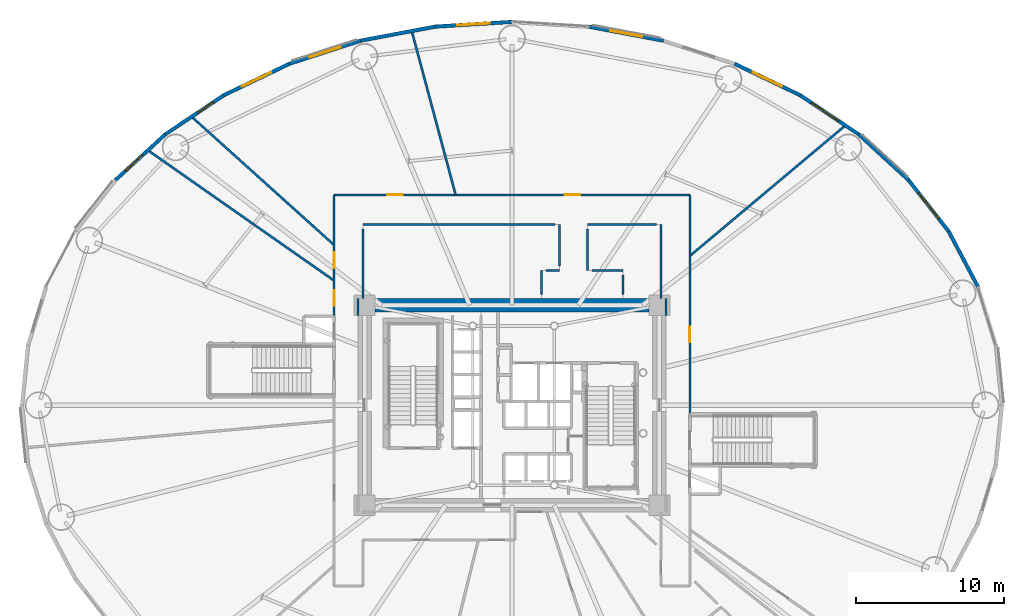
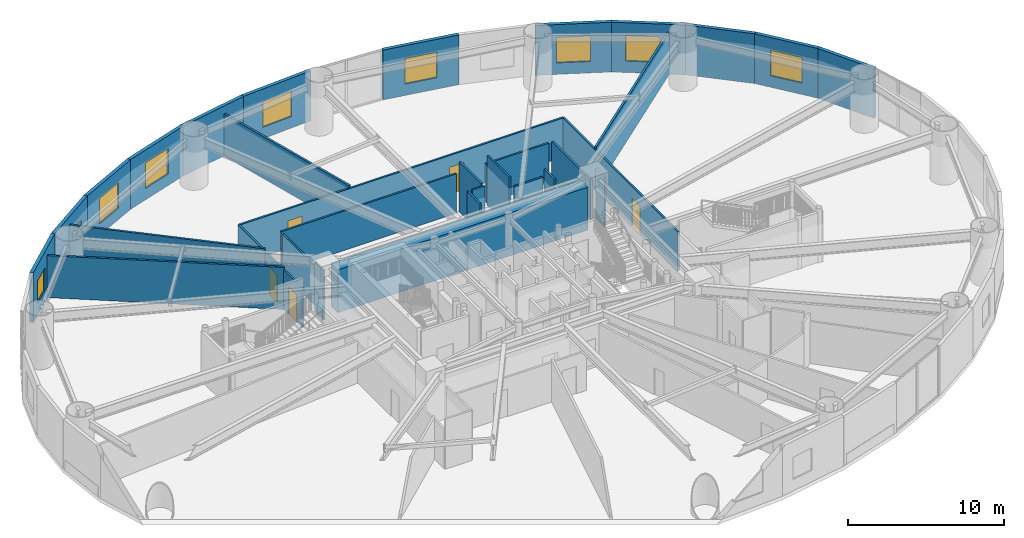
# One storey, part 18 of 30: 32 walls, 9 windows, 5 doors, 14 openings.
"""IFC4 building model written with IfcOpenShell, lengths in metres."""

from ifc_helpers import new_model, si_unit, direction, frame, frame_2d, origin, origin_2d, place, context, subcontext, project, spatial, rectangle, extrude, source, transform, mapped, material, layer, layer_set, type_object, element, fill, save


model = new_model("IFC4")

# Units and contexts
model_context = context("Model", 3, precision=1e-05, world=origin(), true_north=direction((0.0, 1.0)))
body_context = subcontext(model_context, "Body", "Model", "MODEL_VIEW")
ifc_project = project(units=[si_unit("LENGTHUNIT", "METRE"), si_unit("AREAUNIT", "SQUARE_METRE"), si_unit("VOLUMEUNIT", "CUBIC_METRE"), si_unit("PLANEANGLEUNIT", "RADIAN"), si_unit("MASSUNIT", "GRAM", prefix="KILO")], contexts=[model_context])

# Site, building, storey
site_placement = place(None, origin())
site = spatial("IfcSite", under=ifc_project, at=site_placement, CompositionType="ELEMENT")
building_placement = place(site_placement, origin())
building = spatial("IfcBuilding", under=site, at=building_placement, Name="Linh Dai School and Residence Tower", CompositionType="ELEMENT")
storey_placement = place(building_placement, frame((0.0, 0.0, 10.199951171875)))
storey = spatial("IfcBuildingStorey", under=building, at=storey_placement, Name="L02", CompositionType="ELEMENT", Elevation=10.199951171875)

# Wall
ifc_material_1 = material(Name="Precast Concrete B45 (C35/45)", Category="concrete")
ifc_layer_1 = layer(ifc_material_1, 0.25)
ifc_layer_set_1 = layer_set([ifc_layer_1], Name="Precast Concrete B45 (C35/45)")
wall_type_1 = type_object("IfcWallType", Name="EW-TC-250", PredefinedType="SOLIDWALL", material=ifc_layer_set_1)
wall_1_placement = place(storey_placement, frame((65.4765625, 38.735595703125, 0.0), z_axis=(0.0, 0.0, 1.0), x_axis=(0.467588829866, -0.883946087827, 0.0)))
element("IfcWall", 1, at=wall_1_placement, inside=storey, type_object=wall_type_1, Name="L02 Terracotta Exterior Wall 03", PredefinedType="SOLIDWALL", context=body_context, shape_type="SweptSolid", body=[
    extrude(rectangle(XDim=4.2412109375, YDim=0.25, at=frame_2d((2.12060546875, 0.0))), origin(), (0.0, 0.0, 1.0), 3.900146484375),
])

# Wall, opening, window
wall_2_placement = place(storey_placement, frame((62.767822265625, 42.197509765625, 0.0), z_axis=(0.0, 0.0, 1.0), x_axis=(0.61622589112, -0.787569457961, 0.0)))
wall_2 = element("IfcWall", 2, at=wall_2_placement, inside=storey, type_object=wall_type_1, Name="L02 Terracotta Exterior Wall 04", PredefinedType="SOLIDWALL", context=body_context, shape_type="SweptSolid", body=[
    extrude(rectangle(XDim=4.395751953125, YDim=0.25, at=frame_2d((2.19775390625, 0.0))), origin(), (0.0, 0.0, 1.0), 3.900146484375),
])
opening_1_placement = place(wall_2_placement, frame((1.09765625, 0.0, 0.89990234375)))
opening_1 = element("IfcOpeningElement", 3, at=opening_1_placement, cuts=wall_2, Name="Opening W4", PredefinedType="OPENING", context=body_context, shape_type="SweptSolid", body=[
    extrude(rectangle(XDim=2.199951171875, YDim=2.0, at=origin_2d()), frame((1.10009765625, 0.135009765625, 1.0), z_axis=(0.0, -1.0, 0.0), x_axis=(1.0, 0.0, 0.0)), (0.0, 0.0, 1.0), 0.27001953125),
])
ifc_material_2 = material(Name="Acoustic Laminated Low-E Glazing", Category="glass")
window_type_1 = type_object("IfcWindowType", Name="WN-SCH-2200x2000", PartitioningType="TRIPLE_PANEL_VERTICAL", PredefinedType="WINDOW", material=ifc_material_2)
shared_shape_1 = source(origin(), body_context, "Body", "SweptSolid", [
    extrude(rectangle(XDim=2.199951171875, YDim=2.0, at=origin_2d()), frame((1.10009765625, 0.030029296875, 1.0), z_axis=(0.0, -1.0, 0.0), x_axis=(1.0, 0.0, 0.0)), (0.0, 0.0, 1.0), 0.06005859375),
])
window_1_placement = place(opening_1_placement, origin())
window_1 = element("IfcWindow", 4, at=window_1_placement, inside=storey, type_object=window_type_1, Name="L02 Exterior Window 04.1", OverallHeight=2.0, OverallWidth=2.199951171875, PartitioningType="TRIPLE_PANEL_VERTICAL", PredefinedType="WINDOW", context=body_context, shape_type="MappedRepresentation", body=[
    mapped(shared_shape_1, transform((0.0, 0.0, 0.0), x_axis=(1.0, 0.0, 0.0), y_axis=(0.0, 1.0, 0.0), z_axis=(0.0, 0.0, 1.0), scale=1.0)),
])
fill(opening_1, window_1)

# Wall
wall_3_placement = place(storey_placement, frame((59.39892578125, 45.286376953125, 0.0), z_axis=(0.0, 0.0, 1.0), x_axis=(0.737076532105, -0.675809282136, 0.0)))
element("IfcWall", 5, at=wall_3_placement, inside=storey, type_object=wall_type_1, Name="L02 Terracotta Exterior Wall 05", PredefinedType="SOLIDWALL", context=body_context, shape_type="SweptSolid", body=[
    extrude(rectangle(XDim=4.570556640625, YDim=0.25, at=frame_2d((2.28515625, 0.0))), origin(), (0.0, 0.0, 1.0), 3.900146484375),
])

# Wall, opening, window
wall_4_placement = place(storey_placement, frame((55.45263671875, 47.92578125, 0.0), z_axis=(0.0, 0.0, 1.0), x_axis=(0.831218664812, -0.555945618985, 0.0)))
wall_4 = element("IfcWall", 6, at=wall_4_placement, inside=storey, type_object=wall_type_1, Name="L02 Terracotta Exterior Wall 06", PredefinedType="SOLIDWALL", context=body_context, shape_type="SweptSolid", body=[
    extrude(rectangle(XDim=4.74755859375, YDim=0.25, at=frame_2d((2.373779296875, 0.0))), origin(), (0.0, 0.0, 1.0), 3.900146484375),
])
opening_2_placement = place(wall_4_placement, frame((0.91259765625, 0.0, 0.89990234375)))
opening_2 = element("IfcOpeningElement", 7, at=opening_2_placement, cuts=wall_4, Name="Opening W4", PredefinedType="OPENING", context=body_context, shape_type="SweptSolid", body=[
    extrude(rectangle(XDim=2.199951171875, YDim=2.0, at=origin_2d()), frame((1.10009765625, 0.135009765625, 1.0), z_axis=(0.0, -1.0, 0.0), x_axis=(1.0, 0.0, 0.0)), (0.0, 0.0, 1.0), 0.27001953125),
])
window_2_placement = place(opening_2_placement, origin())
window_2 = element("IfcWindow", 8, at=window_2_placement, inside=storey, type_object=window_type_1, Name="L02 Exterior Window 06.1", OverallHeight=2.0, OverallWidth=2.199951171875, PartitioningType="TRIPLE_PANEL_VERTICAL", PredefinedType="WINDOW", context=body_context, shape_type="MappedRepresentation", body=[
    mapped(shared_shape_1, transform((0.0, 0.0, 0.0), x_axis=(1.0, 0.0, 0.0), y_axis=(0.0, 1.0, 0.0), z_axis=(0.0, 0.0, 1.0), scale=1.0)),
])
fill(opening_2, window_2)

wall_5_placement = place(storey_placement, frame((51.026123046875, 50.050048828125, 0.0), z_axis=(0.0, 0.0, 1.0), x_axis=(0.901559523397, -0.432655088692, 0.0)))
wall_5 = element("IfcWall", 9, at=wall_5_placement, inside=storey, type_object=wall_type_1, Name="L02 Terracotta Exterior Wall 07", PredefinedType="SOLIDWALL", context=body_context, shape_type="SweptSolid", body=[
    extrude(rectangle(XDim=4.909912109375, YDim=0.25, at=frame_2d((2.455078125, 0.0))), origin(), (0.0, 0.0, 1.0), 3.900146484375),
])
opening_3_placement = place(wall_5_placement, frame((1.354736328125, 0.0, 0.89990234375)))
opening_3 = element("IfcOpeningElement", 10, at=opening_3_placement, cuts=wall_5, Name="Opening W4", PredefinedType="OPENING", context=body_context, shape_type="SweptSolid", body=[
    extrude(rectangle(XDim=2.199951171875, YDim=2.0, at=origin_2d()), frame((1.10009765625, 0.135009765625, 1.0), z_axis=(0.0, -1.0, 0.0), x_axis=(1.0, 0.0, 0.0)), (0.0, 0.0, 1.0), 0.27001953125),
])
window_3_placement = place(opening_3_placement, origin())
window_3 = element("IfcWindow", 11, at=window_3_placement, inside=storey, type_object=window_type_1, Name="L02 Exterior Window 07.1", OverallHeight=2.0, OverallWidth=2.199951171875, PartitioningType="TRIPLE_PANEL_VERTICAL", PredefinedType="WINDOW", context=body_context, shape_type="MappedRepresentation", body=[
    mapped(shared_shape_1, transform((0.0, 0.0, 0.0), x_axis=(1.0, 0.0, 0.0), y_axis=(0.0, 1.0, 0.0), z_axis=(0.0, 0.0, 1.0), scale=1.0)),
])
fill(opening_3, window_3)

wall_6_placement = place(storey_placement, frame((41.17822265625, 52.555908203125, 0.0), z_axis=(0.0, 0.0, 1.0), x_axis=(0.98278278947, -0.184764684726, 0.0)))
wall_6 = element("IfcWall", 12, at=wall_6_placement, inside=storey, type_object=wall_type_1, Name="L02 Terracotta Exterior Wall 09", PredefinedType="SOLIDWALL", context=body_context, shape_type="SweptSolid", body=[
    extrude(rectangle(XDim=5.138671875, YDim=0.25, at=frame_2d((2.5693359375, 0.0))), origin(), (0.0, 0.0, 1.0), 3.900146484375),
])
opening_4_placement = place(wall_6_placement, frame((1.469482421875, 0.0, 0.89990234375)))
opening_4 = element("IfcOpeningElement", 13, at=opening_4_placement, cuts=wall_6, Name="Opening W4", PredefinedType="OPENING", context=body_context, shape_type="SweptSolid", body=[
    extrude(rectangle(XDim=2.199951171875, YDim=2.0, at=origin_2d()), frame((1.10009765625, 0.135009765625, 1.0), z_axis=(0.0, -1.0, 0.0), x_axis=(1.0, 0.0, 0.0)), (0.0, 0.0, 1.0), 0.27001953125),
])
window_4_placement = place(opening_4_placement, origin())
window_4 = element("IfcWindow", 14, at=window_4_placement, inside=storey, type_object=window_type_1, Name="L02 Exterior Window 09.1", OverallHeight=2.0, OverallWidth=2.199951171875, PartitioningType="TRIPLE_PANEL_VERTICAL", PredefinedType="WINDOW", context=body_context, shape_type="MappedRepresentation", body=[
    mapped(shared_shape_1, transform((0.0, 0.0, 0.0), x_axis=(1.0, 0.0, 0.0), y_axis=(0.0, 1.0, 0.0), z_axis=(0.0, 0.0, 1.0), scale=1.0)),
])
fill(opening_4, window_4)

wall_7_placement = place(storey_placement, frame((30.82177734375, 52.555908203125, 0.0), z_axis=(0.0, 0.0, 1.0), x_axis=(0.998106762298, 0.061505211614, 0.0)))
wall_7 = element("IfcWall", 15, at=wall_7_placement, inside=storey, type_object=wall_type_1, Name="L02 Terracotta Exterior Wall 11", PredefinedType="SOLIDWALL", context=body_context, shape_type="SweptSolid", body=[
    extrude(rectangle(XDim=5.18798828125, YDim=0.25, at=frame_2d((2.593994140625, 0.0))), origin(), (0.0, 0.0, 1.0), 3.900146484375),
])
opening_5_placement = place(wall_7_placement, frame((1.493896484375, 0.0, 0.89990234375)))
opening_5 = element("IfcOpeningElement", 16, at=opening_5_placement, cuts=wall_7, Name="Opening W4", PredefinedType="OPENING", context=body_context, shape_type="SweptSolid", body=[
    extrude(rectangle(XDim=2.199951171875, YDim=2.0, at=origin_2d()), frame((1.10009765625, 0.135009765625, 1.0), z_axis=(0.0, -1.0, 0.0), x_axis=(1.0, 0.0, 0.0)), (0.0, 0.0, 1.0), 0.27001953125),
])
window_5_placement = place(opening_5_placement, origin())
window_5 = element("IfcWindow", 17, at=window_5_placement, inside=storey, type_object=window_type_1, Name="L02 Exterior Window 11.1", OverallHeight=2.0, OverallWidth=2.199951171875, PartitioningType="TRIPLE_PANEL_VERTICAL", PredefinedType="WINDOW", context=body_context, shape_type="MappedRepresentation", body=[
    mapped(shared_shape_1, transform((0.0, 0.0, 0.0), x_axis=(1.0, 0.0, 0.0), y_axis=(0.0, 1.0, 0.0), z_axis=(0.0, 0.0, 1.0), scale=1.0)),
])
fill(opening_5, window_5)

# Wall
wall_8_placement = place(storey_placement, frame((25.771484375, 51.6064453125, 0.0), z_axis=(0.0, 0.0, 1.0), x_axis=(0.98278278947, 0.184764684726, 0.0)))
element("IfcWall", 18, at=wall_8_placement, inside=storey, type_object=wall_type_1, Name="L02 Terracotta Exterior Wall 12", PredefinedType="SOLIDWALL", context=body_context, shape_type="SweptSolid", body=[
    extrude(rectangle(XDim=5.138671875, YDim=0.25, at=frame_2d((2.5693359375, 0.0))), origin(), (0.0, 0.0, 1.0), 3.900146484375),
])

# Wall, opening, window
wall_9_placement = place(storey_placement, frame((20.973876953125, 50.050048828125, 0.0), z_axis=(0.0, 0.0, 1.0), x_axis=(0.951198629726, 0.308579271513, 0.0)))
wall_9 = element("IfcWall", 19, at=wall_9_placement, inside=storey, type_object=wall_type_1, Name="L02 Terracotta Exterior Wall 13", PredefinedType="SOLIDWALL", context=body_context, shape_type="SweptSolid", body=[
    extrude(rectangle(XDim=5.043701171875, YDim=0.25, at=frame_2d((2.52197265625, 0.0))), origin(), (0.0, 0.0, 1.0), 3.900146484375),
])
opening_6_placement = place(wall_9_placement, frame((1.422119140625, 0.0, 0.89990234375)))
opening_6 = element("IfcOpeningElement", 20, at=opening_6_placement, cuts=wall_9, Name="Opening W4", PredefinedType="OPENING", context=body_context, shape_type="SweptSolid", body=[
    extrude(rectangle(XDim=2.199951171875, YDim=2.0, at=origin_2d()), frame((1.10009765625, 0.135009765625, 1.0), z_axis=(0.0, -1.0, 0.0), x_axis=(1.0, 0.0, 0.0)), (0.0, 0.0, 1.0), 0.27001953125),
])
window_6_placement = place(opening_6_placement, origin())
window_6 = element("IfcWindow", 21, at=window_6_placement, inside=storey, type_object=window_type_1, Name="L02 Exterior Window 13.1", OverallHeight=2.0, OverallWidth=2.199951171875, PartitioningType="TRIPLE_PANEL_VERTICAL", PredefinedType="WINDOW", context=body_context, shape_type="MappedRepresentation", body=[
    mapped(shared_shape_1, transform((0.0, 0.0, 0.0), x_axis=(1.0, 0.0, 0.0), y_axis=(0.0, 1.0, 0.0), z_axis=(0.0, 0.0, 1.0), scale=1.0)),
])
fill(opening_6, window_6)

wall_10_placement = place(storey_placement, frame((16.54736328125, 47.92578125, 0.0), z_axis=(0.0, 0.0, 1.0), x_axis=(0.901559523397, 0.432655088692, 0.0)))
wall_10 = element("IfcWall", 22, at=wall_10_placement, inside=storey, type_object=wall_type_1, Name="L02 Terracotta Exterior Wall 14", PredefinedType="SOLIDWALL", context=body_context, shape_type="SweptSolid", body=[
    extrude(rectangle(XDim=4.909912109375, YDim=0.25, at=frame_2d((2.455078125, 0.0))), origin(), (0.0, 0.0, 1.0), 3.900146484375),
])
opening_7_placement = place(wall_10_placement, frame((1.35498046875, 0.0, 0.89990234375)))
opening_7 = element("IfcOpeningElement", 23, at=opening_7_placement, cuts=wall_10, Name="Opening W4", PredefinedType="OPENING", context=body_context, shape_type="SweptSolid", body=[
    extrude(rectangle(XDim=2.199951171875, YDim=2.0, at=origin_2d()), frame((1.10009765625, 0.135009765625, 1.0), z_axis=(0.0, -1.0, 0.0), x_axis=(1.0, 0.0, 0.0)), (0.0, 0.0, 1.0), 0.27001953125),
])
window_7_placement = place(opening_7_placement, origin())
window_7 = element("IfcWindow", 24, at=window_7_placement, inside=storey, type_object=window_type_1, Name="L02 Exterior Window 14.1", OverallHeight=2.0, OverallWidth=2.199951171875, PartitioningType="TRIPLE_PANEL_VERTICAL", PredefinedType="WINDOW", context=body_context, shape_type="MappedRepresentation", body=[
    mapped(shared_shape_1, transform((0.0, 0.0, 0.0), x_axis=(1.0, 0.0, 0.0), y_axis=(0.0, 1.0, 0.0), z_axis=(0.0, 0.0, 1.0), scale=1.0)),
])
fill(opening_7, window_7)

wall_11_placement = place(storey_placement, frame((12.60107421875, 45.286376953125, 0.0), z_axis=(0.0, 0.0, 1.0), x_axis=(0.831218664812, 0.555945618985, 0.0)))
wall_11 = element("IfcWall", 25, at=wall_11_placement, inside=storey, type_object=wall_type_1, Name="L02 Terracotta Exterior Wall 15", PredefinedType="SOLIDWALL", context=body_context, shape_type="SweptSolid", body=[
    extrude(rectangle(XDim=4.74755859375, YDim=0.25, at=frame_2d((2.373779296875, 0.0))), origin(), (0.0, 0.0, 1.0), 3.900146484375),
])
opening_8_placement = place(wall_11_placement, frame((2.63671875, 0.0, 0.89990234375)))
opening_8 = element("IfcOpeningElement", 26, at=opening_8_placement, cuts=wall_11, Name="Opening W3", PredefinedType="OPENING", context=body_context, shape_type="SweptSolid", body=[
    extrude(rectangle(XDim=1.25, YDim=1.64990234375, at=origin_2d()), frame((0.625, 0.135009765625, 0.824951171875), z_axis=(0.0, -1.0, 0.0), x_axis=(1.0, 0.0, 0.0)), (0.0, 0.0, 1.0), 0.27001953125),
])
ifc_material_3 = material(Name="Double Low-E Insulated Glazing", Category="glass")
window_type_2 = type_object("IfcWindowType", Name="WN-RES-1250x1650", PartitioningType="SINGLE_PANEL", PredefinedType="WINDOW", material=ifc_material_3)
shared_shape_2 = source(origin(), body_context, "Body", "SweptSolid", [
    extrude(rectangle(XDim=1.25, YDim=1.64990234375, at=origin_2d()), frame((0.625, 0.030029296875, 0.824951171875), z_axis=(0.0, -1.0, 0.0), x_axis=(1.0, 0.0, 0.0)), (0.0, 0.0, 1.0), 0.06005859375),
])
window_8_placement = place(opening_8_placement, origin())
window_8 = element("IfcWindow", 27, at=window_8_placement, inside=storey, type_object=window_type_2, Name="L02 Exterior Window 15.1", OverallHeight=1.64990234375, OverallWidth=1.25, PartitioningType="SINGLE_PANEL", PredefinedType="WINDOW", context=body_context, shape_type="MappedRepresentation", body=[
    mapped(shared_shape_2, transform((0.0, 0.0, 0.0), x_axis=(1.0, 0.0, 0.0), y_axis=(0.0, 1.0, 0.0), z_axis=(0.0, 0.0, 1.0), scale=1.0)),
])
fill(opening_8, window_8)

wall_12_placement = place(storey_placement, frame((9.232177734375, 42.197509765625, 0.0), z_axis=(0.0, 0.0, 1.0), x_axis=(0.737076532105, 0.675809282136, 0.0)))
wall_12 = element("IfcWall", 28, at=wall_12_placement, inside=storey, type_object=wall_type_1, Name="L02 Terracotta Exterior Wall 16", PredefinedType="SOLIDWALL", context=body_context, shape_type="SweptSolid", body=[
    extrude(rectangle(XDim=4.570556640625, YDim=0.25, at=frame_2d((2.28515625, 0.0))), origin(), (0.0, 0.0, 1.0), 3.900146484375),
])
opening_9_placement = place(wall_12_placement, frame((0.89599609375, 0.0, 0.89990234375)))
opening_9 = element("IfcOpeningElement", 29, at=opening_9_placement, cuts=wall_12, Name="Opening W2", PredefinedType="OPENING", context=body_context, shape_type="SweptSolid", body=[
    extrude(rectangle(XDim=1.60009765625, YDim=1.75, at=origin_2d()), frame((0.800048828125, 0.135009765625, 0.875), z_axis=(0.0, -1.0, 0.0), x_axis=(1.0, 0.0, 0.0)), (0.0, 0.0, 1.0), 0.27001953125),
])
window_type_3 = type_object("IfcWindowType", Name="WN-RES-1600x1750", PartitioningType="DOUBLE_PANEL_VERTICAL", PredefinedType="WINDOW", material=ifc_material_3)
shared_shape_3 = source(origin(), body_context, "Body", "SweptSolid", [
    extrude(rectangle(XDim=1.60009765625, YDim=1.75, at=origin_2d()), frame((0.800048828125, 0.030029296875, 0.875), z_axis=(0.0, -1.0, 0.0), x_axis=(1.0, 0.0, 0.0)), (0.0, 0.0, 1.0), 0.06005859375),
])
window_9_placement = place(opening_9_placement, origin())
window_9 = element("IfcWindow", 30, at=window_9_placement, inside=storey, type_object=window_type_3, Name="L02 Exterior Window 16.1", OverallHeight=1.75, OverallWidth=1.60009765625, PartitioningType="DOUBLE_PANEL_VERTICAL", PredefinedType="WINDOW", context=body_context, shape_type="MappedRepresentation", body=[
    mapped(shared_shape_3, transform((0.0, 0.0, 0.0), x_axis=(1.0, 0.0, 0.0), y_axis=(0.0, 1.0, 0.0), z_axis=(0.0, 0.0, 1.0), scale=1.0)),
])
fill(opening_9, window_9)

# Wall, openings, doors
ifc_material_4 = material(Name="Autoclaved Aerated Concrete Blockwork", Category="masonry")
ifc_layer_2 = layer(ifc_material_4, 0.135009765625)
ifc_layer_set_2 = layer_set([ifc_layer_2], Name="Autoclaved Aerated Concrete Blockwork")
wall_type_2 = type_object("IfcWallType", Name="IW-CORR-135-EI90", PredefinedType="PARTITIONING", material=ifc_layer_set_2)
wall_13_placement = place(storey_placement, frame((24.0, 33.010009765625, 0.0), z_axis=(0.0, 0.0, 1.0), x_axis=(0.0, 1.0, 0.0)))
wall_13 = element("IfcWall", 31, at=wall_13_placement, inside=storey, type_object=wall_type_2, Name="L02 Interior Partition Wall 013", PredefinedType="PARTITIONING", context=body_context, shape_type="SweptSolid", body=[
    extrude(rectangle(XDim=8.18994140625, YDim=0.135009765625, at=frame_2d((4.094970703125, 0.0))), origin(), (0.0, 0.0, 1.0), 3.0849609375),
])
opening_10_placement = place(wall_13_placement, frame((3.24755859375, 0.0, 0.0)))
opening_10 = element("IfcOpeningElement", 32, at=opening_10_placement, cuts=wall_13, Name="Opening D04", PredefinedType="OPENING", context=body_context, shape_type="SweptSolid", body=[
    extrude(rectangle(XDim=1.050048828125, YDim=2.14990234375, at=origin_2d()), frame((0.52490234375, 0.07763671875, 1.074951171875), z_axis=(0.0, -1.0, 0.0), x_axis=(1.0, 0.0, 0.0)), (0.0, 0.0, 1.0), 0.155029296875),
])
opening_11_placement = place(wall_13_placement, frame((0.691162109375, 0.0, 0.0)))
opening_11 = element("IfcOpeningElement", 33, at=opening_11_placement, cuts=wall_13, Name="Opening D04", PredefinedType="OPENING", context=body_context, shape_type="SweptSolid", body=[
    extrude(rectangle(XDim=1.050048828125, YDim=2.14990234375, at=origin_2d()), frame((0.52490234375, 0.07763671875, 1.074951171875), z_axis=(0.0, -1.0, 0.0), x_axis=(1.0, 0.0, 0.0)), (0.0, 0.0, 1.0), 0.155029296875),
])
ifc_material_5 = material(Name="Acoustic Vision-Panel Timber Classroom Door", Category="wood")
door_type = type_object("IfcDoorType", Name="DR-SCH-1050x2150-FD60S", OperationType="NOTDEFINED", PredefinedType="DOOR", material=ifc_material_5)
shared_shape_4 = source(origin(), body_context, "Body", "SweptSolid", [
    extrude(rectangle(XDim=1.050048828125, YDim=2.14990234375, at=origin_2d()), frame((0.52490234375, 0.02490234375, 1.074951171875), z_axis=(0.0, -1.0, 0.0), x_axis=(1.0, 0.0, 0.0)), (0.0, 0.0, 1.0), 0.050048828125),
])
door_1_placement = place(opening_10_placement, origin())
door_1 = element("IfcDoor", 34, at=door_1_placement, inside=storey, type_object=door_type, Name="L02 School Catering Kitchen Door", OperationType="SINGLE_SWING_LEFT", OverallHeight=2.14990234375, OverallWidth=1.050048828125, PredefinedType="DOOR", context=body_context, shape_type="MappedRepresentation", body=[
    mapped(shared_shape_4, transform((0.0, 0.0, 0.0), x_axis=(1.0, 0.0, 0.0), y_axis=(0.0, 1.0, 0.0), z_axis=(0.0, 0.0, 1.0), scale=1.0)),
])
fill(opening_10, door_1)
door_2_placement = place(opening_11_placement, origin())
door_2 = element("IfcDoor", 35, at=door_2_placement, inside=storey, type_object=door_type, Name="L02 Junior Classroom 1 Door", OperationType="SINGLE_SWING_RIGHT", OverallHeight=2.14990234375, OverallWidth=1.050048828125, PredefinedType="DOOR", context=body_context, shape_type="MappedRepresentation", body=[
    mapped(shared_shape_4, transform((0.0, 0.0, 0.0), x_axis=(1.0, 0.0, 0.0), y_axis=(0.0, 1.0, 0.0), z_axis=(0.0, 0.0, 1.0), scale=1.0)),
])
fill(opening_11, door_2)

wall_14_placement = place(storey_placement, frame((24.0, 41.199951171875, 0.0), z_axis=(0.0, 0.0, 1.0), x_axis=(1.0, 0.0, 0.0)))
wall_14 = element("IfcWall", 36, at=wall_14_placement, inside=storey, type_object=wall_type_2, Name="L02 Interior Partition Wall 014", PredefinedType="PARTITIONING", context=body_context, shape_type="SweptSolid", body=[
    extrude(rectangle(XDim=24.0, YDim=0.135009765625, at=frame_2d((12.0, 0.0))), origin(), (0.0, 0.0, 1.0), 3.0849609375),
])
opening_12_placement = place(wall_14_placement, frame((15.552490234375, 0.0, 0.0)))
opening_12 = element("IfcOpeningElement", 37, at=opening_12_placement, cuts=wall_14, Name="Opening D04", PredefinedType="OPENING", context=body_context, shape_type="SweptSolid", body=[
    extrude(rectangle(XDim=1.050048828125, YDim=2.14990234375, at=origin_2d()), frame((0.52490234375, 0.07763671875, 1.074951171875), z_axis=(0.0, -1.0, 0.0), x_axis=(1.0, 0.0, 0.0)), (0.0, 0.0, 1.0), 0.155029296875),
])
opening_13_placement = place(wall_14_placement, frame((3.592529296875, 0.0, 0.0)))
opening_13 = element("IfcOpeningElement", 38, at=opening_13_placement, cuts=wall_14, Name="Opening D04", PredefinedType="OPENING", context=body_context, shape_type="SweptSolid", body=[
    extrude(rectangle(XDim=1.050048828125, YDim=2.14990234375, at=origin_2d()), frame((0.52490234375, 0.07763671875, 1.074951171875), z_axis=(0.0, -1.0, 0.0), x_axis=(1.0, 0.0, 0.0)), (0.0, 0.0, 1.0), 0.155029296875),
])
door_3_placement = place(opening_12_placement, origin())
door_3 = element("IfcDoor", 39, at=door_3_placement, inside=storey, type_object=door_type, Name="L02 Student Dining Hall and Refectory Door", OperationType="SINGLE_SWING_LEFT", OverallHeight=2.14990234375, OverallWidth=1.050048828125, PredefinedType="DOOR", context=body_context, shape_type="MappedRepresentation", body=[
    mapped(shared_shape_4, transform((0.0, 0.0, 0.0), x_axis=(1.0, 0.0, 0.0), y_axis=(0.0, 1.0, 0.0), z_axis=(0.0, 0.0, 1.0), scale=1.0)),
])
fill(opening_12, door_3)
door_4_placement = place(opening_13_placement, origin())
door_4 = element("IfcDoor", 40, at=door_4_placement, inside=storey, type_object=door_type, Name="L02 School Refectory Servery Hall Door", OperationType="SINGLE_SWING_RIGHT", OverallHeight=2.14990234375, OverallWidth=1.050048828125, PredefinedType="DOOR", context=body_context, shape_type="MappedRepresentation", body=[
    mapped(shared_shape_4, transform((0.0, 0.0, 0.0), x_axis=(1.0, 0.0, 0.0), y_axis=(0.0, 1.0, 0.0), z_axis=(0.0, 0.0, 1.0), scale=1.0)),
])
fill(opening_13, door_4)

# Wall, opening, door
wall_15_placement = place(storey_placement, frame((48.0, 26.429931640625, 0.0), z_axis=(0.0, 0.0, 1.0), x_axis=(0.0, 1.0, 0.0)))
wall_15 = element("IfcWall", 41, at=wall_15_placement, inside=storey, type_object=wall_type_2, Name="L02 Interior Partition Wall 067", PredefinedType="PARTITIONING", context=body_context, shape_type="SweptSolid", body=[
    extrude(rectangle(XDim=14.77001953125, YDim=0.135009765625, at=frame_2d((7.385009765625, 0.0))), origin(), (0.0, 0.0, 1.0), 3.0849609375),
])
opening_14_placement = place(wall_15_placement, frame((4.814697265625, 0.0, 0.0)))
opening_14 = element("IfcOpeningElement", 42, at=opening_14_placement, cuts=wall_15, Name="Opening D04", PredefinedType="OPENING", context=body_context, shape_type="SweptSolid", body=[
    extrude(rectangle(XDim=1.050048828125, YDim=2.14990234375, at=origin_2d()), frame((0.52490234375, 0.07763671875, 1.074951171875), z_axis=(0.0, -1.0, 0.0), x_axis=(1.0, 0.0, 0.0)), (0.0, 0.0, 1.0), 0.155029296875),
])
door_5_placement = place(opening_14_placement, origin())
door_5 = element("IfcDoor", 43, at=door_5_placement, inside=storey, type_object=door_type, Name="L02 Primary School Multi-Purpose Assembly Hall Door", OperationType="SINGLE_SWING_RIGHT", OverallHeight=2.14990234375, OverallWidth=1.050048828125, PredefinedType="DOOR", context=body_context, shape_type="MappedRepresentation", body=[
    mapped(shared_shape_4, transform((0.0, 0.0, 0.0), x_axis=(1.0, 0.0, 0.0), y_axis=(0.0, 1.0, 0.0), z_axis=(0.0, 0.0, 1.0), scale=1.0)),
])
fill(opening_14, door_5)

# Walls
wall_16_placement = place(storey_placement, frame((46.39990234375, 33.06005859375, 0.0), z_axis=(0.0, 0.0, 1.0), x_axis=(0.0, 1.0, 0.0)))
element("IfcWall", 44, at=wall_16_placement, inside=storey, type_object=wall_type_2, Name="L02 Interior Partition Wall 086", PredefinedType="PARTITIONING", context=body_context, shape_type="SweptSolid", body=[
    extrude(rectangle(XDim=1.139892578125, YDim=0.135009765625, at=frame_2d((0.56982421875, 0.0))), origin(), (0.0, 0.0, 1.0), 3.900146484375),
])
wall_17_placement = place(storey_placement, frame((46.050048828125, 34.199951171875, 0.0), z_axis=(0.0, 0.0, 1.0), x_axis=(0.0, 1.0, 0.0)))
element("IfcWall", 45, at=wall_17_placement, inside=storey, type_object=wall_type_2, Name="L02 Interior Partition Wall 087", PredefinedType="PARTITIONING", context=body_context, shape_type="SweptSolid", body=[
    extrude(rectangle(XDim=5.0, YDim=0.135009765625, at=frame_2d((2.5, 0.0))), origin(), (0.0, 0.0, 1.0), 3.0849609375),
])
wall_18_placement = place(storey_placement, frame((45.742431640625, 39.199951171875, 0.0), z_axis=(0.0, 0.0, 1.0), x_axis=(-1.0, 0.0, 0.0)))
element("IfcWall", 46, at=wall_18_placement, inside=storey, type_object=wall_type_2, Name="L02 Interior Partition Wall 088", PredefinedType="PARTITIONING", context=body_context, shape_type="SweptSolid", body=[
    extrude(rectangle(XDim=4.642333984375, YDim=0.135009765625, at=frame_2d((2.3212890625, 0.0))), origin(), (0.0, 0.0, 1.0), 3.0849609375),
])
wall_19_placement = place(storey_placement, frame((41.10009765625, 38.892578125, 0.0), z_axis=(0.0, 0.0, 1.0), x_axis=(0.0, -1.0, 0.0)))
element("IfcWall", 47, at=wall_19_placement, inside=storey, type_object=wall_type_2, Name="L02 Interior Partition Wall 089", PredefinedType="PARTITIONING", context=body_context, shape_type="SweptSolid", body=[
    extrude(rectangle(XDim=2.79248046875, YDim=0.135009765625, at=frame_2d((1.396240234375, 0.0))), origin(), (0.0, 0.0, 1.0), 3.900146484375),
])
wall_20_placement = place(storey_placement, frame((41.407470703125, 36.10009765625, 0.0), z_axis=(0.0, 0.0, 1.0), x_axis=(1.0, 0.0, 0.0)))
element("IfcWall", 48, at=wall_20_placement, inside=storey, type_object=wall_type_2, Name="L02 Interior Partition Wall 090", PredefinedType="PARTITIONING", context=body_context, shape_type="SweptSolid", body=[
    extrude(rectangle(XDim=2.092529296875, YDim=0.135009765625, at=frame_2d((1.04638671875, 0.0))), origin(), (0.0, 0.0, 1.0), 3.0849609375),
])
wall_21_placement = place(storey_placement, frame((43.5, 35.79248046875, 0.0), z_axis=(0.0, 0.0, 1.0), x_axis=(0.0, -1.0, 0.0)))
element("IfcWall", 49, at=wall_21_placement, inside=storey, type_object=wall_type_2, Name="L02 Interior Partition Wall 091", PredefinedType="PARTITIONING", context=body_context, shape_type="SweptSolid", body=[
    extrude(rectangle(XDim=1.33251953125, YDim=0.135009765625, at=frame_2d((0.666259765625, 0.0))), origin(), (0.0, 0.0, 1.0), 3.900146484375),
])
wall_22_placement = place(storey_placement, frame((38.0, 34.4599609375, 0.0), z_axis=(0.0, 0.0, 1.0), x_axis=(0.0, 1.0, 0.0)))
element("IfcWall", 50, at=wall_22_placement, inside=storey, type_object=wall_type_2, Name="L02 Interior Partition Wall 092", PredefinedType="PARTITIONING", context=body_context, shape_type="SweptSolid", body=[
    extrude(rectangle(XDim=1.64013671875, YDim=0.135009765625, at=frame_2d((0.820068359375, 0.0))), origin(), (0.0, 0.0, 1.0), 3.900146484375),
])
wall_23_placement = place(storey_placement, frame((38.3076171875, 36.10009765625, 0.0), z_axis=(0.0, 0.0, 1.0), x_axis=(1.0, 0.0, 0.0)))
element("IfcWall", 51, at=wall_23_placement, inside=storey, type_object=wall_type_2, Name="L02 Interior Partition Wall 093", PredefinedType="PARTITIONING", context=body_context, shape_type="SweptSolid", body=[
    extrude(rectangle(XDim=0.892333984375, YDim=0.135009765625, at=frame_2d((0.4462890625, 0.0))), origin(), (0.0, 0.0, 1.0), 3.900146484375),
])
wall_24_placement = place(storey_placement, frame((39.199951171875, 36.407470703125, 0.0), z_axis=(0.0, 0.0, 1.0), x_axis=(0.0, 1.0, 0.0)))
element("IfcWall", 52, at=wall_24_placement, inside=storey, type_object=wall_type_2, Name="L02 Interior Partition Wall 094", PredefinedType="PARTITIONING", context=body_context, shape_type="SweptSolid", body=[
    extrude(rectangle(XDim=2.79248046875, YDim=0.135009765625, at=frame_2d((1.396240234375, 0.0))), origin(), (0.0, 0.0, 1.0), 3.900146484375),
])
wall_25_placement = place(storey_placement, frame((38.892578125, 39.199951171875, 0.0), z_axis=(0.0, 0.0, 1.0), x_axis=(-1.0, 0.0, 0.0)))
element("IfcWall", 53, at=wall_25_placement, inside=storey, type_object=wall_type_2, Name="L02 Interior Partition Wall 095", PredefinedType="PARTITIONING", context=body_context, shape_type="SweptSolid", body=[
    extrude(rectangle(XDim=12.942626953125, YDim=0.135009765625, at=frame_2d((6.47119140625, 0.0))), origin(), (0.0, 0.0, 1.0), 3.0849609375),
])
wall_26_placement = place(storey_placement, frame((25.949951171875, 38.892578125, 0.0), z_axis=(0.0, 0.0, 1.0), x_axis=(0.0, -1.0, 0.0)))
element("IfcWall", 54, at=wall_26_placement, inside=storey, type_object=wall_type_2, Name="L02 Interior Partition Wall 096", PredefinedType="PARTITIONING", context=body_context, shape_type="SweptSolid", body=[
    extrude(rectangle(XDim=4.692626953125, YDim=0.135009765625, at=frame_2d((2.34619140625, 0.0))), origin(), (0.0, 0.0, 1.0), 3.0849609375),
])
wall_27_placement = place(storey_placement, frame((25.60009765625, 34.199951171875, 0.0), z_axis=(0.0, 0.0, 1.0), x_axis=(0.0, -1.0, 0.0)))
element("IfcWall", 55, at=wall_27_placement, inside=storey, type_object=wall_type_2, Name="L02 Interior Partition Wall 097", PredefinedType="PARTITIONING", context=body_context, shape_type="SweptSolid", body=[
    extrude(rectangle(XDim=1.139892578125, YDim=0.135009765625, at=frame_2d((0.56982421875, 0.0))), origin(), (0.0, 0.0, 1.0), 3.900146484375),
])
ifc_layer_3 = layer(ifc_material_4, 0.14990234375)
ifc_layer_set_3 = layer_set([ifc_layer_3], Name="Autoclaved Aerated Concrete Blockwork")
wall_type_3 = type_object("IfcWallType", Name="IW-SCH-150-EI60", PredefinedType="PARTITIONING", material=ifc_layer_set_3)
wall_28_placement = place(storey_placement, frame((11.420654296875, 44.210693359375, 0.0), z_axis=(0.0, 0.0, 1.0), x_axis=(0.819153488973, -0.573574373123, 0.0)))
element("IfcWall", 56, at=wall_28_placement, inside=storey, type_object=wall_type_3, Name="L02 Interior Partition Wall 002", PredefinedType="PARTITIONING", context=body_context, shape_type="SweptSolid", body=[
    extrude(rectangle(XDim=15.3564453125, YDim=0.14990234375, at=frame_2d((7.67822265625, 0.0))), origin(), (0.0, 0.0, 1.0), 3.28515625),
])
wall_29_placement = place(storey_placement, frame((14.3701171875, 46.4755859375, 0.0), z_axis=(0.0, 0.0, 1.0), x_axis=(0.743149857609, -0.669125017569, 0.0)))
element("IfcWall", 57, at=wall_29_placement, inside=storey, type_object=wall_type_3, Name="L02 Interior Partition Wall 004", PredefinedType="PARTITIONING", context=body_context, shape_type="SweptSolid", body=[
    extrude(rectangle(XDim=12.958251953125, YDim=0.14990234375, at=frame_2d((6.47900390625, 0.0))), origin(), (0.0, 0.0, 1.0), 3.28515625),
])
wall_30_placement = place(storey_placement, frame((29.231201171875, 52.261962890625, 0.0), z_axis=(0.0, 0.0, 1.0), x_axis=(0.258803572303, -0.96592997208, 0.0)))
element("IfcWall", 58, at=wall_30_placement, inside=storey, type_object=wall_type_3, Name="L02 Interior Partition Wall 018", PredefinedType="PARTITIONING", context=body_context, shape_type="SweptSolid", body=[
    extrude(rectangle(XDim=11.4521484375, YDim=0.14990234375, at=frame_2d((5.72607421875, 0.0))), origin(), (0.0, 0.0, 1.0), 3.28515625),
])
wall_31_placement = place(storey_placement, frame((48.0, 37.069091796875, 0.0), z_axis=(0.0, 0.0, 1.0), x_axis=(0.766043415451, 0.642788834412, 0.0)))
element("IfcWall", 59, at=wall_31_placement, inside=storey, type_object=wall_type_3, Name="L02 Interior Partition Wall 069", PredefinedType="PARTITIONING", context=body_context, shape_type="SweptSolid", body=[
    extrude(rectangle(XDim=13.718994140625, YDim=0.14990234375, at=frame_2d((6.859375, 0.0))), origin(), (0.0, 0.0, 1.0), 3.28515625),
])
ifc_material_6 = material(Name="Concrete B60 (C50/60)", Category="concrete")
ifc_layer_4 = layer(ifc_material_6, 0.89990234375)
ifc_layer_set_4 = layer_set([ifc_layer_4], Name="Concrete B60 (C50/60)")
wall_type_4 = type_object("IfcWallType", Name="WL-CORE900", PredefinedType="SHEAR", material=ifc_layer_set_4)
wall_32_placement = place(storey_placement, frame((26.75, 33.75, 0.0), z_axis=(0.0, 0.0, 1.0), x_axis=(1.0, 0.0, 0.0)))
element("IfcWall", 60, at=wall_32_placement, inside=storey, type_object=wall_type_4, Name="L02 Central Core Shear Wall N", PredefinedType="SHEAR", context=body_context, shape_type="SweptSolid", body=[
    extrude(rectangle(XDim=18.5, YDim=0.89990234375, at=frame_2d((9.25, 0.0))), origin(), (0.0, 0.0, 1.0), 3.35009765625),
])

save(model, "model.ifc")
